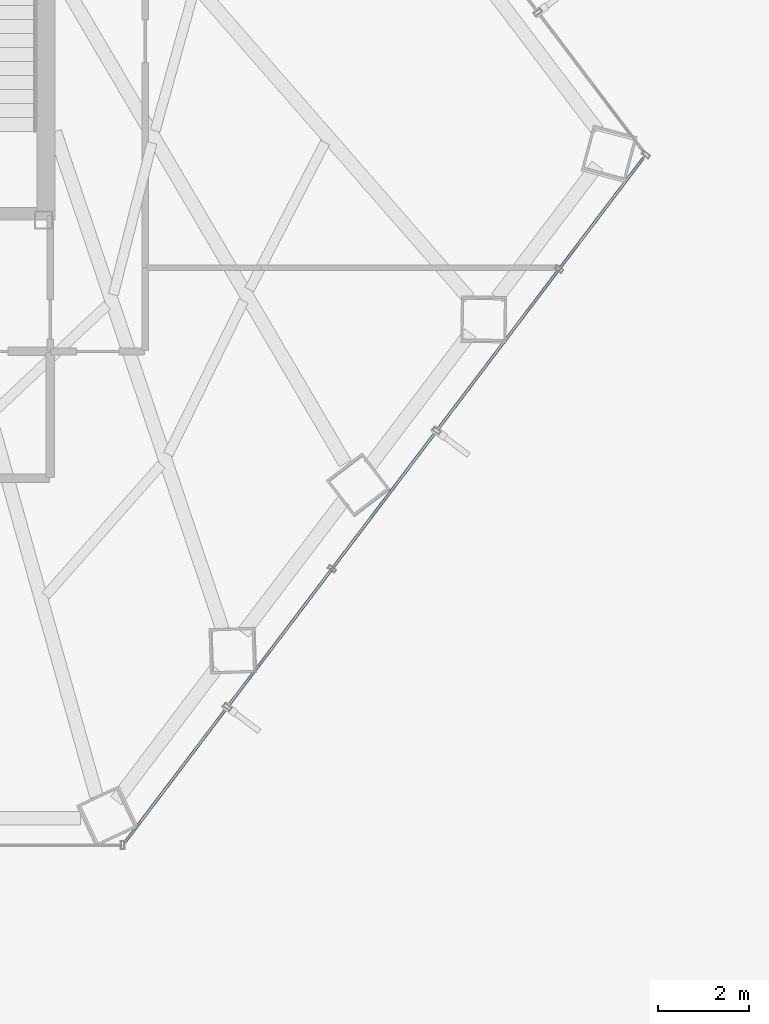
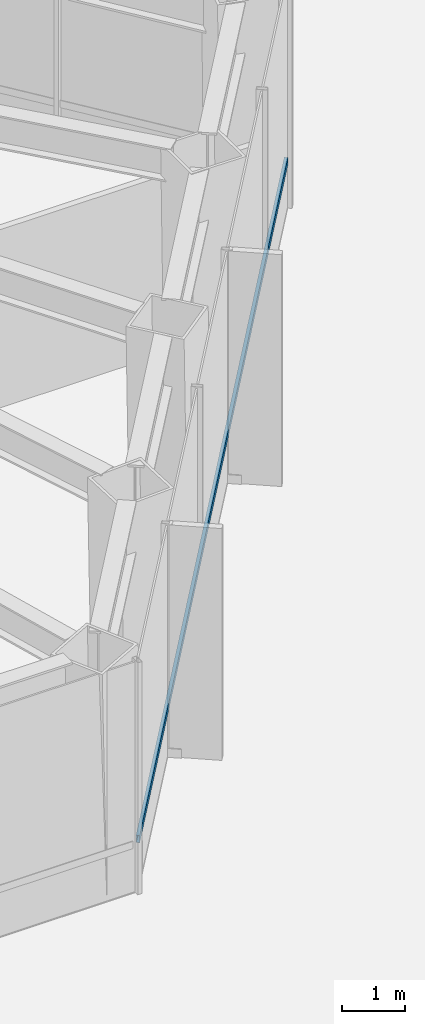
# One storey, part 11 of 30: 1 member, 1 element without a shape of its own.
"""IFC4 building model written with IfcOpenShell, lengths in metres."""

from ifc_helpers import new_model, si_unit, direction, frame, origin, origin_2d, place, context, subcontext, project, spatial, hollow_rectangle, extrude, material, layer, layer_set, material_profile, profile_set, type_object, element, aggregate, save


model = new_model("IFC4")

# Units and contexts
model_context = context("Model", 3, precision=1e-05, world=origin(), true_north=direction((0.0, 1.0)))
body_context = subcontext(model_context, "Body", "Model", "MODEL_VIEW")
ifc_project = project(units=[si_unit("LENGTHUNIT", "METRE"), si_unit("AREAUNIT", "SQUARE_METRE"), si_unit("VOLUMEUNIT", "CUBIC_METRE"), si_unit("PLANEANGLEUNIT", "RADIAN"), si_unit("MASSUNIT", "GRAM", prefix="KILO")], contexts=[model_context])

# Site, building, storey
site_placement = place(None, origin())
site = spatial("IfcSite", under=ifc_project, at=site_placement, CompositionType="ELEMENT")
building_placement = place(site_placement, origin())
building = spatial("IfcBuilding", under=site, at=building_placement, Name="Zarrinselat Tower", CompositionType="ELEMENT")
storey_placement = place(building_placement, frame((0.0, 0.0, 22.780029296875)))
storey = spatial("IfcBuildingStorey", under=building, at=storey_placement, Name="L05", CompositionType="ELEMENT", Elevation=22.780029296875)

# Curtain wall, member
ifc_material_1 = material(Name="Extruded Aluminium Alloy EN AW-6063 T6", Category="aluminium")
ifc_layer = layer(ifc_material_1, 0.195068359375)
ifc_layer_set = layer_set([ifc_layer], Name="Extruded Aluminium Alloy EN AW-6063 T6")
curtain_wall_type = type_object("IfcCurtainWallType", Name="CWS-GDN", PredefinedType="NOTDEFINED", material=ifc_layer_set)
curtain_wall_placement = place(storey_placement, origin())
curtain_wall = element("IfcCurtainWall", 1, at=curtain_wall_placement, inside=storey, type_object=curtain_wall_type, Name="L05 Unitised Curtain Wall CW-L05-E05", PredefinedType="NOTDEFINED")
ifc_material_2 = material(Name="Extruded Aluminium Alloy EN AW-6063 T6", Category="aluminium")
ifc_material_profile = material_profile(ifc_material_2, hollow_rectangle(XDim=0.06005859375, YDim=0.139892578125, WallThickness=0.00390625, at=origin_2d()), Name="RHS 140x60x4")
ifc_profile_set = profile_set([ifc_material_profile], Name="Extruded Aluminium Alloy EN AW-6063 T6")
member_type = type_object("IfcMemberType", Name="MEM-CW-TRN", PredefinedType="USERDEFINED", material=ifc_profile_set)
member_placement = place(storey_placement, frame((50.00439453125, 19.317626953125, 0.949951171875), z_axis=(0.603854462919, 0.797094591384, 0.0), x_axis=(-0.797094591384, 0.603854462919, 0.0)))
member = element("IfcMember", 2, at=member_placement, type_object=member_type, Name="CW-L05-E05 Transom 1", ObjectType="TRANSOM", PredefinedType="USERDEFINED", context=body_context, shape_type="SweptSolid", body=[
    extrude(hollow_rectangle(XDim=0.06005859375, YDim=0.139892578125, WallThickness=0.00390625, at=origin_2d()), origin(), (0.0, 0.0, 1.0), 18.947265625),
])
aggregate(curtain_wall, [member])

save(model, "model.ifc")
